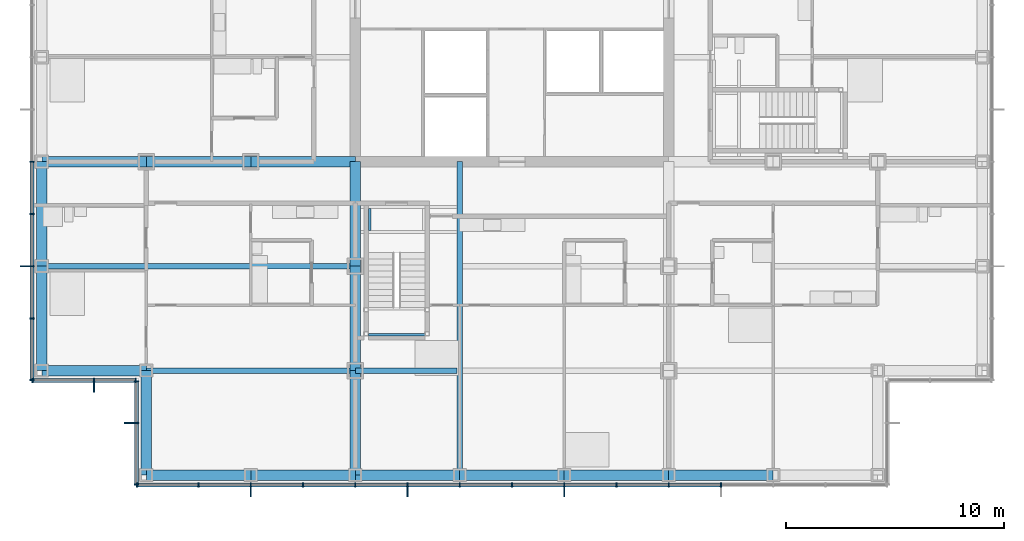
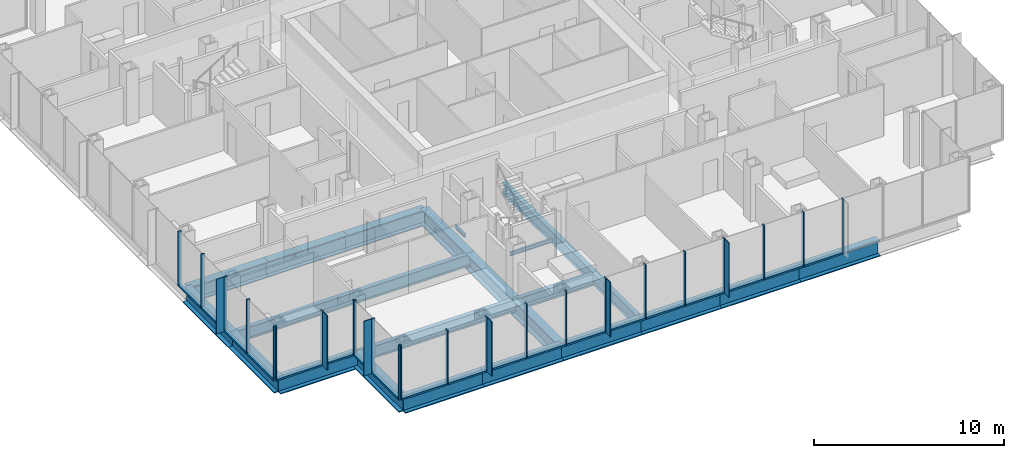
# One storey, part 6 of 21: 48 members, 22 beams, 4 elements without a shape of their own.
"""IFC4 building model written with IfcOpenShell, lengths in metres."""

from ifc_helpers import new_model, si_unit, direction, frame, origin, origin_2d, place, context, subcontext, project, spatial, rectangle, i_section, extrude, material, material_profile, profile_set, type_object, element, aggregate, save


model = new_model("IFC4")

# Units and contexts
model_context = context("Model", 3, precision=1e-05, world=origin(), true_north=direction((0.0, 1.0)))
body_context = subcontext(model_context, "Body", "Model", "MODEL_VIEW")
ifc_project = project(units=[si_unit("LENGTHUNIT", "METRE"), si_unit("AREAUNIT", "SQUARE_METRE"), si_unit("VOLUMEUNIT", "CUBIC_METRE"), si_unit("PLANEANGLEUNIT", "RADIAN"), si_unit("MASSUNIT", "GRAM", prefix="KILO")], contexts=[model_context])

# Site, building, storey
site_placement = place(None, origin())
site = spatial("IfcSite", under=ifc_project, at=site_placement, CompositionType="ELEMENT")
building_placement = place(site_placement, origin())
building = spatial("IfcBuilding", under=site, at=building_placement, Name="Kvirike Care Tower", CompositionType="ELEMENT")
storey_placement = place(building_placement, frame((0.0, 0.0, 65.5)))
storey = spatial("IfcBuildingStorey", under=building, at=storey_placement, Name="L17", CompositionType="ELEMENT", Elevation=65.5)

# Curtain wall, member
ifc_material_1 = material(Name="Anodised aluminium stick system", Category="aluminium")
curtain_wall_type = type_object("IfcCurtainWallType", Name="CW-A STICK CURTAIN WALL", PredefinedType="NOTDEFINED", material=ifc_material_1)
curtain_wall_1_placement = place(storey_placement, origin())
curtain_wall_1 = element("IfcCurtainWall", 1, at=curtain_wall_1_placement, inside=storey, type_object=curtain_wall_type, Name="Curtain wall L17 face 1", PredefinedType="NOTDEFINED")
ifc_material_2 = material(Name="Bronze anodised aluminium fin", Category="aluminium")
ifc_material_profile_1 = material_profile(ifc_material_2, rectangle(XDim=0.050048828125, YDim=0.449951171875, at=origin_2d()), Name="BRONZE FIN 450")
ifc_profile_set_1 = profile_set([ifc_material_profile_1], Name="Bronze anodised aluminium fin")
member_type_1 = type_object("IfcMemberType", Name="BRONZE FIN 450", PredefinedType="USERDEFINED", material=ifc_profile_set_1)
member_1_placement = place(storey_placement, frame((-0.77490234375, 24.0, 0.0), z_axis=(0.0, 0.0, 1.0), x_axis=(0.0, -1.0, 0.0)))
member_1 = element("IfcMember", 2, at=member_1_placement, type_object=member_type_1, Name="Bronze fin L17 face 1.13", ObjectType="FIN", PredefinedType="USERDEFINED", context=body_context, shape_type="SweptSolid", body=[
    extrude(rectangle(XDim=0.050048828125, YDim=0.449951171875, at=origin_2d()), origin(), (0.0, 0.0, 1.0), 3.5),
])

curtain_wall_2_placement = place(storey_placement, origin())
curtain_wall_2 = element("IfcCurtainWall", 3, at=curtain_wall_2_placement, inside=storey, type_object=curtain_wall_type, Name="Curtain wall L17 face 2", PredefinedType="NOTDEFINED")
member_2_placement = place(storey_placement, frame((2.39990234375, 18.425048828125, 0.0), z_axis=(0.0, 0.0, 1.0), x_axis=(1.0, 0.0, 0.0)))
member_2 = element("IfcMember", 4, at=member_2_placement, type_object=member_type_1, Name="Bronze fin L17 face 2.2", ObjectType="FIN", PredefinedType="USERDEFINED", context=body_context, shape_type="SweptSolid", body=[
    extrude(rectangle(XDim=0.050048828125, YDim=0.449951171875, at=origin_2d()), origin(), (0.0, 0.0, 1.0), 3.5),
])

curtain_wall_3_placement = place(storey_placement, origin())
curtain_wall_3 = element("IfcCurtainWall", 5, at=curtain_wall_3_placement, inside=storey, type_object=curtain_wall_type, Name="Curtain wall L17 face 3", PredefinedType="NOTDEFINED")
member_3_placement = place(storey_placement, frame((4.02490234375, 16.800048828125, 0.0), z_axis=(0.0, 0.0, 1.0), x_axis=(0.0, -1.0, 0.0)))
member_3 = element("IfcMember", 6, at=member_3_placement, type_object=member_type_1, Name="Bronze fin L17 face 3.2", ObjectType="FIN", PredefinedType="USERDEFINED", context=body_context, shape_type="SweptSolid", body=[
    extrude(rectangle(XDim=0.050048828125, YDim=0.449951171875, at=origin_2d()), origin(), (0.0, 0.0, 1.0), 3.5),
])

# Curtain wall, members
curtain_wall_4_placement = place(storey_placement, origin())
curtain_wall_4 = element("IfcCurtainWall", 7, at=curtain_wall_4_placement, inside=storey, type_object=curtain_wall_type, Name="Curtain wall L17 face 4", PredefinedType="NOTDEFINED")
member_4_placement = place(storey_placement, frame((9.60009765625, 13.625, 0.0), z_axis=(0.0, 0.0, 1.0), x_axis=(1.0, 0.0, 0.0)))
member_4 = element("IfcMember", 8, at=member_4_placement, type_object=member_type_1, Name="Bronze fin L17 face 4.3", ObjectType="FIN", PredefinedType="USERDEFINED", context=body_context, shape_type="SweptSolid", body=[
    extrude(rectangle(XDim=0.050048828125, YDim=0.449951171875, at=origin_2d()), origin(), (0.0, 0.0, 1.0), 3.5),
])
member_5_placement = place(storey_placement, frame((16.800048828125, 13.625, 0.0), z_axis=(0.0, 0.0, 1.0), x_axis=(1.0, 0.0, 0.0)))
member_5 = element("IfcMember", 9, at=member_5_placement, type_object=member_type_1, Name="Bronze fin L17 face 4.6", ObjectType="FIN", PredefinedType="USERDEFINED", context=body_context, shape_type="SweptSolid", body=[
    extrude(rectangle(XDim=0.050048828125, YDim=0.449951171875, at=origin_2d()), origin(), (0.0, 0.0, 1.0), 3.5),
])
member_6_placement = place(storey_placement, frame((24.0, 13.625, 0.0), z_axis=(0.0, 0.0, 1.0), x_axis=(1.0, 0.0, 0.0)))
member_6 = element("IfcMember", 10, at=member_6_placement, type_object=member_type_1, Name="Bronze fin L17 face 4.9", ObjectType="FIN", PredefinedType="USERDEFINED", context=body_context, shape_type="SweptSolid", body=[
    extrude(rectangle(XDim=0.050048828125, YDim=0.449951171875, at=origin_2d()), origin(), (0.0, 0.0, 1.0), 3.5),
])

# Member
ifc_material_3 = material(Name="Bronze anodised aluminium mullion", Category="aluminium")
ifc_material_profile_2 = material_profile(ifc_material_3, rectangle(XDim=0.06494140625, YDim=0.199951171875, at=origin_2d()), Name="CW-A MULLION 65x200")
ifc_profile_set_2 = profile_set([ifc_material_profile_2], Name="Bronze anodised aluminium mullion")
member_type_2 = type_object("IfcMemberType", Name="CW-A MULLION 65x200", PredefinedType="MULLION", material=ifc_profile_set_2)
member_7_placement = place(storey_placement, frame((-0.449951171875, 28.800048828125, 0.0), z_axis=(0.0, 0.0, 1.0), x_axis=(0.0, -1.0, 0.0)))
member_7 = element("IfcMember", 11, at=member_7_placement, type_object=member_type_2, Name="CW-A mullion L17 face 1.11", PredefinedType="MULLION", context=body_context, shape_type="SweptSolid", body=[
    extrude(rectangle(XDim=0.06494140625, YDim=0.199951171875, at=origin_2d()), origin(), (0.0, 0.0, 1.0), 3.5),
])

member_8_placement = place(storey_placement, frame((-0.449951171875, 26.39990234375, 0.0), z_axis=(0.0, 0.0, 1.0), x_axis=(0.0, -1.0, 0.0)))
member_8 = element("IfcMember", 12, at=member_8_placement, type_object=member_type_2, Name="CW-A mullion L17 face 1.12", PredefinedType="MULLION", context=body_context, shape_type="SweptSolid", body=[
    extrude(rectangle(XDim=0.06494140625, YDim=0.199951171875, at=origin_2d()), origin(), (0.0, 0.0, 1.0), 3.5),
])

member_9_placement = place(storey_placement, frame((-0.449951171875, 24.0, 0.0), z_axis=(0.0, 0.0, 1.0), x_axis=(0.0, -1.0, 0.0)))
member_9 = element("IfcMember", 13, at=member_9_placement, type_object=member_type_2, Name="CW-A mullion L17 face 1.13", PredefinedType="MULLION", context=body_context, shape_type="SweptSolid", body=[
    extrude(rectangle(XDim=0.06494140625, YDim=0.199951171875, at=origin_2d()), origin(), (0.0, 0.0, 1.0), 3.5),
])

member_10_placement = place(storey_placement, frame((-0.449951171875, 21.60009765625, 0.0), z_axis=(0.0, 0.0, 1.0), x_axis=(0.0, -1.0, 0.0)))
member_10 = element("IfcMember", 14, at=member_10_placement, type_object=member_type_2, Name="CW-A mullion L17 face 1.14", PredefinedType="MULLION", context=body_context, shape_type="SweptSolid", body=[
    extrude(rectangle(XDim=0.06494140625, YDim=0.199951171875, at=origin_2d()), origin(), (0.0, 0.0, 1.0), 3.5),
])

member_11_placement = place(storey_placement, frame((-0.449951171875, 18.782470703125, 0.0), z_axis=(0.0, 0.0, 1.0), x_axis=(0.0, -1.0, 0.0)))
member_11 = element("IfcMember", 15, at=member_11_placement, type_object=member_type_2, Name="CW-A mullion L17 face 1.15", PredefinedType="MULLION", context=body_context, shape_type="SweptSolid", body=[
    extrude(rectangle(XDim=0.06494140625, YDim=0.199951171875, at=origin_2d()), origin(), (0.0, 0.0, 1.0), 3.5),
])

member_12_placement = place(storey_placement, frame((-0.41748046875, 18.75, 0.0), z_axis=(0.0, 0.0, 1.0), x_axis=(1.0, 0.0, 0.0)))
member_12 = element("IfcMember", 16, at=member_12_placement, type_object=member_type_2, Name="CW-A mullion L17 face 2.1", PredefinedType="MULLION", context=body_context, shape_type="SweptSolid", body=[
    extrude(rectangle(XDim=0.06494140625, YDim=0.199951171875, at=origin_2d()), origin(), (0.0, 0.0, 1.0), 3.5),
])

member_13_placement = place(storey_placement, frame((2.39990234375, 18.75, 0.0), z_axis=(0.0, 0.0, 1.0), x_axis=(1.0, 0.0, 0.0)))
member_13 = element("IfcMember", 17, at=member_13_placement, type_object=member_type_2, Name="CW-A mullion L17 face 2.2", PredefinedType="MULLION", context=body_context, shape_type="SweptSolid", body=[
    extrude(rectangle(XDim=0.06494140625, YDim=0.199951171875, at=origin_2d()), origin(), (0.0, 0.0, 1.0), 3.5),
])

member_14_placement = place(storey_placement, frame((4.3173828125, 18.75, 0.0), z_axis=(0.0, 0.0, 1.0), x_axis=(1.0, 0.0, 0.0)))
member_14 = element("IfcMember", 18, at=member_14_placement, type_object=member_type_2, Name="CW-A mullion L17 face 2.3", PredefinedType="MULLION", context=body_context, shape_type="SweptSolid", body=[
    extrude(rectangle(XDim=0.06494140625, YDim=0.199951171875, at=origin_2d()), origin(), (0.0, 0.0, 1.0), 3.5),
])

member_15_placement = place(storey_placement, frame((4.35009765625, 18.717529296875, 0.0), z_axis=(0.0, 0.0, 1.0), x_axis=(0.0, -1.0, 0.0)))
member_15 = element("IfcMember", 19, at=member_15_placement, type_object=member_type_2, Name="CW-A mullion L17 face 3.1", PredefinedType="MULLION", context=body_context, shape_type="SweptSolid", body=[
    extrude(rectangle(XDim=0.06494140625, YDim=0.199951171875, at=origin_2d()), origin(), (0.0, 0.0, 1.0), 3.5),
])

member_16_placement = place(storey_placement, frame((4.35009765625, 16.800048828125, 0.0), z_axis=(0.0, 0.0, 1.0), x_axis=(0.0, -1.0, 0.0)))
member_16 = element("IfcMember", 20, at=member_16_placement, type_object=member_type_2, Name="CW-A mullion L17 face 3.2", PredefinedType="MULLION", context=body_context, shape_type="SweptSolid", body=[
    extrude(rectangle(XDim=0.06494140625, YDim=0.199951171875, at=origin_2d()), origin(), (0.0, 0.0, 1.0), 3.5),
])

member_17_placement = place(storey_placement, frame((4.35009765625, 13.982421875, 0.0), z_axis=(0.0, 0.0, 1.0), x_axis=(0.0, -1.0, 0.0)))
member_17 = element("IfcMember", 21, at=member_17_placement, type_object=member_type_2, Name="CW-A mullion L17 face 3.3", PredefinedType="MULLION", context=body_context, shape_type="SweptSolid", body=[
    extrude(rectangle(XDim=0.06494140625, YDim=0.199951171875, at=origin_2d()), origin(), (0.0, 0.0, 1.0), 3.5),
])

member_18_placement = place(storey_placement, frame((4.382568359375, 13.949951171875, 0.0), z_axis=(0.0, 0.0, 1.0), x_axis=(1.0, 0.0, 0.0)))
member_18 = element("IfcMember", 22, at=member_18_placement, type_object=member_type_2, Name="CW-A mullion L17 face 4.1", PredefinedType="MULLION", context=body_context, shape_type="SweptSolid", body=[
    extrude(rectangle(XDim=0.06494140625, YDim=0.199951171875, at=origin_2d()), origin(), (0.0, 0.0, 1.0), 3.5),
])

member_19_placement = place(storey_placement, frame((7.199951171875, 13.949951171875, 0.0), z_axis=(0.0, 0.0, 1.0), x_axis=(1.0, 0.0, 0.0)))
member_19 = element("IfcMember", 23, at=member_19_placement, type_object=member_type_2, Name="CW-A mullion L17 face 4.2", PredefinedType="MULLION", context=body_context, shape_type="SweptSolid", body=[
    extrude(rectangle(XDim=0.06494140625, YDim=0.199951171875, at=origin_2d()), origin(), (0.0, 0.0, 1.0), 3.5),
])

member_20_placement = place(storey_placement, frame((9.60009765625, 13.949951171875, 0.0), z_axis=(0.0, 0.0, 1.0), x_axis=(1.0, 0.0, 0.0)))
member_20 = element("IfcMember", 24, at=member_20_placement, type_object=member_type_2, Name="CW-A mullion L17 face 4.3", PredefinedType="MULLION", context=body_context, shape_type="SweptSolid", body=[
    extrude(rectangle(XDim=0.06494140625, YDim=0.199951171875, at=origin_2d()), origin(), (0.0, 0.0, 1.0), 3.5),
])

member_21_placement = place(storey_placement, frame((12.0, 13.949951171875, 0.0), z_axis=(0.0, 0.0, 1.0), x_axis=(1.0, 0.0, 0.0)))
member_21 = element("IfcMember", 25, at=member_21_placement, type_object=member_type_2, Name="CW-A mullion L17 face 4.4", PredefinedType="MULLION", context=body_context, shape_type="SweptSolid", body=[
    extrude(rectangle(XDim=0.06494140625, YDim=0.199951171875, at=origin_2d()), origin(), (0.0, 0.0, 1.0), 3.5),
])

member_22_placement = place(storey_placement, frame((14.39990234375, 13.949951171875, 0.0), z_axis=(0.0, 0.0, 1.0), x_axis=(1.0, 0.0, 0.0)))
member_22 = element("IfcMember", 26, at=member_22_placement, type_object=member_type_2, Name="CW-A mullion L17 face 4.5", PredefinedType="MULLION", context=body_context, shape_type="SweptSolid", body=[
    extrude(rectangle(XDim=0.06494140625, YDim=0.199951171875, at=origin_2d()), origin(), (0.0, 0.0, 1.0), 3.5),
])

member_23_placement = place(storey_placement, frame((16.800048828125, 13.949951171875, 0.0), z_axis=(0.0, 0.0, 1.0), x_axis=(1.0, 0.0, 0.0)))
member_23 = element("IfcMember", 27, at=member_23_placement, type_object=member_type_2, Name="CW-A mullion L17 face 4.6", PredefinedType="MULLION", context=body_context, shape_type="SweptSolid", body=[
    extrude(rectangle(XDim=0.06494140625, YDim=0.199951171875, at=origin_2d()), origin(), (0.0, 0.0, 1.0), 3.5),
])

member_24_placement = place(storey_placement, frame((19.199951171875, 13.949951171875, 0.0), z_axis=(0.0, 0.0, 1.0), x_axis=(1.0, 0.0, 0.0)))
member_24 = element("IfcMember", 28, at=member_24_placement, type_object=member_type_2, Name="CW-A mullion L17 face 4.7", PredefinedType="MULLION", context=body_context, shape_type="SweptSolid", body=[
    extrude(rectangle(XDim=0.06494140625, YDim=0.199951171875, at=origin_2d()), origin(), (0.0, 0.0, 1.0), 3.5),
])

member_25_placement = place(storey_placement, frame((21.60009765625, 13.949951171875, 0.0), z_axis=(0.0, 0.0, 1.0), x_axis=(1.0, 0.0, 0.0)))
member_25 = element("IfcMember", 29, at=member_25_placement, type_object=member_type_2, Name="CW-A mullion L17 face 4.8", PredefinedType="MULLION", context=body_context, shape_type="SweptSolid", body=[
    extrude(rectangle(XDim=0.06494140625, YDim=0.199951171875, at=origin_2d()), origin(), (0.0, 0.0, 1.0), 3.5),
])

member_26_placement = place(storey_placement, frame((24.0, 13.949951171875, 0.0), z_axis=(0.0, 0.0, 1.0), x_axis=(1.0, 0.0, 0.0)))
member_26 = element("IfcMember", 30, at=member_26_placement, type_object=member_type_2, Name="CW-A mullion L17 face 4.9", PredefinedType="MULLION", context=body_context, shape_type="SweptSolid", body=[
    extrude(rectangle(XDim=0.06494140625, YDim=0.199951171875, at=origin_2d()), origin(), (0.0, 0.0, 1.0), 3.5),
])

member_27_placement = place(storey_placement, frame((26.39990234375, 13.949951171875, 0.0), z_axis=(0.0, 0.0, 1.0), x_axis=(1.0, 0.0, 0.0)))
member_27 = element("IfcMember", 31, at=member_27_placement, type_object=member_type_2, Name="CW-A mullion L17 face 4.10", PredefinedType="MULLION", context=body_context, shape_type="SweptSolid", body=[
    extrude(rectangle(XDim=0.06494140625, YDim=0.199951171875, at=origin_2d()), origin(), (0.0, 0.0, 1.0), 3.5),
])

member_28_placement = place(storey_placement, frame((28.800048828125, 13.949951171875, 0.0), z_axis=(0.0, 0.0, 1.0), x_axis=(1.0, 0.0, 0.0)))
member_28 = element("IfcMember", 32, at=member_28_placement, type_object=member_type_2, Name="CW-A mullion L17 face 4.11", PredefinedType="MULLION", context=body_context, shape_type="SweptSolid", body=[
    extrude(rectangle(XDim=0.06494140625, YDim=0.199951171875, at=origin_2d()), origin(), (0.0, 0.0, 1.0), 3.5),
])

member_29_placement = place(storey_placement, frame((31.199951171875, 13.949951171875, 0.0), z_axis=(0.0, 0.0, 1.0), x_axis=(1.0, 0.0, 0.0)))
member_29 = element("IfcMember", 33, at=member_29_placement, type_object=member_type_2, Name="CW-A mullion L17 face 4.12", PredefinedType="MULLION", context=body_context, shape_type="SweptSolid", body=[
    extrude(rectangle(XDim=0.06494140625, YDim=0.199951171875, at=origin_2d()), origin(), (0.0, 0.0, 1.0), 3.5),
])

ifc_material_4 = material(Name="Bronze anodised aluminium transom", Category="aluminium")
ifc_material_profile_3 = material_profile(ifc_material_4, rectangle(XDim=0.199951171875, YDim=0.10009765625, at=origin_2d()), Name="CW-A TRANSOM 200x100")
ifc_profile_set_3 = profile_set([ifc_material_profile_3], Name="Bronze anodised aluminium transom")
member_type_3 = type_object("IfcMemberType", Name="CW-A TRANSOM 200x100", PredefinedType="USERDEFINED", material=ifc_profile_set_3)
member_30_placement = place(storey_placement, frame((-0.449951171875, 28.767578125, 0.050048828125), z_axis=(0.0, -1.0, 0.0), x_axis=(1.0, 0.0, 0.0)))
member_30 = element("IfcMember", 34, at=member_30_placement, type_object=member_type_3, Name="CW-A sill transom L17 face 1.11", ObjectType="TRANSOM", PredefinedType="USERDEFINED", context=body_context, shape_type="SweptSolid", body=[
    extrude(rectangle(XDim=0.199951171875, YDim=0.10009765625, at=origin_2d()), origin(), (0.0, 0.0, 1.0), 2.3349609375),
])

member_31_placement = place(storey_placement, frame((-0.449951171875, 26.367431640625, 0.050048828125), z_axis=(0.0, -1.0, 0.0), x_axis=(1.0, 0.0, 0.0)))
member_31 = element("IfcMember", 35, at=member_31_placement, type_object=member_type_3, Name="CW-A sill transom L17 face 1.12", ObjectType="TRANSOM", PredefinedType="USERDEFINED", context=body_context, shape_type="SweptSolid", body=[
    extrude(rectangle(XDim=0.199951171875, YDim=0.10009765625, at=origin_2d()), origin(), (0.0, 0.0, 1.0), 2.3349609375),
])

member_32_placement = place(storey_placement, frame((-0.449951171875, 23.967529296875, 0.050048828125), z_axis=(0.0, -1.0, 0.0), x_axis=(1.0, 0.0, 0.0)))
member_32 = element("IfcMember", 36, at=member_32_placement, type_object=member_type_3, Name="CW-A sill transom L17 face 1.13", ObjectType="TRANSOM", PredefinedType="USERDEFINED", context=body_context, shape_type="SweptSolid", body=[
    extrude(rectangle(XDim=0.199951171875, YDim=0.10009765625, at=origin_2d()), origin(), (0.0, 0.0, 1.0), 2.3349609375),
])

member_33_placement = place(storey_placement, frame((-0.449951171875, 21.5673828125, 0.050048828125), z_axis=(0.0, -1.0, 0.0), x_axis=(1.0, 0.0, 0.0)))
member_33 = element("IfcMember", 37, at=member_33_placement, type_object=member_type_3, Name="CW-A sill transom L17 face 1.14", ObjectType="TRANSOM", PredefinedType="USERDEFINED", context=body_context, shape_type="SweptSolid", body=[
    extrude(rectangle(XDim=0.199951171875, YDim=0.10009765625, at=origin_2d()), origin(), (0.0, 0.0, 1.0), 2.75244140625),
])

aggregate(curtain_wall_1, [member_7, member_8, member_9, member_1, member_10, member_11, member_30, member_31, member_32, member_33])

member_34_placement = place(storey_placement, frame((-0.385009765625, 18.75, 0.050048828125), z_axis=(1.0, 0.0, 0.0), x_axis=(0.0, 1.0, 0.0)))
member_34 = element("IfcMember", 38, at=member_34_placement, type_object=member_type_3, Name="CW-A sill transom L17 face 2.1", ObjectType="TRANSOM", PredefinedType="USERDEFINED", context=body_context, shape_type="SweptSolid", body=[
    extrude(rectangle(XDim=0.199951171875, YDim=0.10009765625, at=origin_2d()), origin(), (0.0, 0.0, 1.0), 2.75244140625),
])

member_35_placement = place(storey_placement, frame((2.4326171875, 18.75, 0.050048828125), z_axis=(1.0, 0.0, 0.0), x_axis=(0.0, 1.0, 0.0)))
member_35 = element("IfcMember", 39, at=member_35_placement, type_object=member_type_3, Name="CW-A sill transom L17 face 2.2", ObjectType="TRANSOM", PredefinedType="USERDEFINED", context=body_context, shape_type="SweptSolid", body=[
    extrude(rectangle(XDim=0.199951171875, YDim=0.10009765625, at=origin_2d()), origin(), (0.0, 0.0, 1.0), 1.852294921875),
])

aggregate(curtain_wall_2, [member_12, member_13, member_2, member_14, member_34, member_35])

member_36_placement = place(storey_placement, frame((4.35009765625, 18.68505859375, 0.050048828125), z_axis=(0.0, -1.0, 0.0), x_axis=(1.0, 0.0, 0.0)))
member_36 = element("IfcMember", 40, at=member_36_placement, type_object=member_type_3, Name="CW-A sill transom L17 face 3.1", ObjectType="TRANSOM", PredefinedType="USERDEFINED", context=body_context, shape_type="SweptSolid", body=[
    extrude(rectangle(XDim=0.199951171875, YDim=0.10009765625, at=origin_2d()), origin(), (0.0, 0.0, 1.0), 1.8525390625),
])

member_37_placement = place(storey_placement, frame((4.35009765625, 16.767578125, 0.050048828125), z_axis=(0.0, -1.0, 0.0), x_axis=(1.0, 0.0, 0.0)))
member_37 = element("IfcMember", 41, at=member_37_placement, type_object=member_type_3, Name="CW-A sill transom L17 face 3.2", ObjectType="TRANSOM", PredefinedType="USERDEFINED", context=body_context, shape_type="SweptSolid", body=[
    extrude(rectangle(XDim=0.199951171875, YDim=0.10009765625, at=origin_2d()), origin(), (0.0, 0.0, 1.0), 2.752685546875),
])

aggregate(curtain_wall_3, [member_15, member_16, member_3, member_17, member_36, member_37])

member_38_placement = place(storey_placement, frame((4.4150390625, 13.949951171875, 0.050048828125), z_axis=(1.0, 0.0, 0.0), x_axis=(0.0, 1.0, 0.0)))
member_38 = element("IfcMember", 42, at=member_38_placement, type_object=member_type_3, Name="CW-A sill transom L17 face 4.1", ObjectType="TRANSOM", PredefinedType="USERDEFINED", context=body_context, shape_type="SweptSolid", body=[
    extrude(rectangle(XDim=0.199951171875, YDim=0.10009765625, at=origin_2d()), origin(), (0.0, 0.0, 1.0), 2.75244140625),
])

member_39_placement = place(storey_placement, frame((7.232421875, 13.949951171875, 0.050048828125), z_axis=(1.0, 0.0, 0.0), x_axis=(0.0, 1.0, 0.0)))
member_39 = element("IfcMember", 43, at=member_39_placement, type_object=member_type_3, Name="CW-A sill transom L17 face 4.2", ObjectType="TRANSOM", PredefinedType="USERDEFINED", context=body_context, shape_type="SweptSolid", body=[
    extrude(rectangle(XDim=0.199951171875, YDim=0.10009765625, at=origin_2d()), origin(), (0.0, 0.0, 1.0), 2.3349609375),
])

member_40_placement = place(storey_placement, frame((9.632568359375, 13.949951171875, 0.050048828125), z_axis=(1.0, 0.0, 0.0), x_axis=(0.0, 1.0, 0.0)))
member_40 = element("IfcMember", 44, at=member_40_placement, type_object=member_type_3, Name="CW-A sill transom L17 face 4.3", ObjectType="TRANSOM", PredefinedType="USERDEFINED", context=body_context, shape_type="SweptSolid", body=[
    extrude(rectangle(XDim=0.199951171875, YDim=0.10009765625, at=origin_2d()), origin(), (0.0, 0.0, 1.0), 2.3349609375),
])

member_41_placement = place(storey_placement, frame((12.032470703125, 13.949951171875, 0.050048828125), z_axis=(1.0, 0.0, 0.0), x_axis=(0.0, 1.0, 0.0)))
member_41 = element("IfcMember", 45, at=member_41_placement, type_object=member_type_3, Name="CW-A sill transom L17 face 4.4", ObjectType="TRANSOM", PredefinedType="USERDEFINED", context=body_context, shape_type="SweptSolid", body=[
    extrude(rectangle(XDim=0.199951171875, YDim=0.10009765625, at=origin_2d()), origin(), (0.0, 0.0, 1.0), 2.3349609375),
])

member_42_placement = place(storey_placement, frame((14.4326171875, 13.949951171875, 0.050048828125), z_axis=(1.0, 0.0, 0.0), x_axis=(0.0, 1.0, 0.0)))
member_42 = element("IfcMember", 46, at=member_42_placement, type_object=member_type_3, Name="CW-A sill transom L17 face 4.5", ObjectType="TRANSOM", PredefinedType="USERDEFINED", context=body_context, shape_type="SweptSolid", body=[
    extrude(rectangle(XDim=0.199951171875, YDim=0.10009765625, at=origin_2d()), origin(), (0.0, 0.0, 1.0), 2.3349609375),
])

member_43_placement = place(storey_placement, frame((16.83251953125, 13.949951171875, 0.050048828125), z_axis=(1.0, 0.0, 0.0), x_axis=(0.0, 1.0, 0.0)))
member_43 = element("IfcMember", 47, at=member_43_placement, type_object=member_type_3, Name="CW-A sill transom L17 face 4.6", ObjectType="TRANSOM", PredefinedType="USERDEFINED", context=body_context, shape_type="SweptSolid", body=[
    extrude(rectangle(XDim=0.199951171875, YDim=0.10009765625, at=origin_2d()), origin(), (0.0, 0.0, 1.0), 2.3349609375),
])

member_44_placement = place(storey_placement, frame((19.232421875, 13.949951171875, 0.050048828125), z_axis=(1.0, 0.0, 0.0), x_axis=(0.0, 1.0, 0.0)))
member_44 = element("IfcMember", 48, at=member_44_placement, type_object=member_type_3, Name="CW-A sill transom L17 face 4.7", ObjectType="TRANSOM", PredefinedType="USERDEFINED", context=body_context, shape_type="SweptSolid", body=[
    extrude(rectangle(XDim=0.199951171875, YDim=0.10009765625, at=origin_2d()), origin(), (0.0, 0.0, 1.0), 2.3349609375),
])

member_45_placement = place(storey_placement, frame((21.632568359375, 13.949951171875, 0.050048828125), z_axis=(1.0, 0.0, 0.0), x_axis=(0.0, 1.0, 0.0)))
member_45 = element("IfcMember", 49, at=member_45_placement, type_object=member_type_3, Name="CW-A sill transom L17 face 4.8", ObjectType="TRANSOM", PredefinedType="USERDEFINED", context=body_context, shape_type="SweptSolid", body=[
    extrude(rectangle(XDim=0.199951171875, YDim=0.10009765625, at=origin_2d()), origin(), (0.0, 0.0, 1.0), 2.3349609375),
])

member_46_placement = place(storey_placement, frame((24.032470703125, 13.949951171875, 0.050048828125), z_axis=(1.0, 0.0, 0.0), x_axis=(0.0, 1.0, 0.0)))
member_46 = element("IfcMember", 50, at=member_46_placement, type_object=member_type_3, Name="CW-A sill transom L17 face 4.9", ObjectType="TRANSOM", PredefinedType="USERDEFINED", context=body_context, shape_type="SweptSolid", body=[
    extrude(rectangle(XDim=0.199951171875, YDim=0.10009765625, at=origin_2d()), origin(), (0.0, 0.0, 1.0), 2.3349609375),
])

member_47_placement = place(storey_placement, frame((26.4326171875, 13.949951171875, 0.050048828125), z_axis=(1.0, 0.0, 0.0), x_axis=(0.0, 1.0, 0.0)))
member_47 = element("IfcMember", 51, at=member_47_placement, type_object=member_type_3, Name="CW-A sill transom L17 face 4.10", ObjectType="TRANSOM", PredefinedType="USERDEFINED", context=body_context, shape_type="SweptSolid", body=[
    extrude(rectangle(XDim=0.199951171875, YDim=0.10009765625, at=origin_2d()), origin(), (0.0, 0.0, 1.0), 2.3349609375),
])

member_48_placement = place(storey_placement, frame((28.83251953125, 13.949951171875, 0.050048828125), z_axis=(1.0, 0.0, 0.0), x_axis=(0.0, 1.0, 0.0)))
member_48 = element("IfcMember", 52, at=member_48_placement, type_object=member_type_3, Name="CW-A sill transom L17 face 4.11", ObjectType="TRANSOM", PredefinedType="USERDEFINED", context=body_context, shape_type="SweptSolid", body=[
    extrude(rectangle(XDim=0.199951171875, YDim=0.10009765625, at=origin_2d()), origin(), (0.0, 0.0, 1.0), 2.3349609375),
])

aggregate(curtain_wall_4, [member_18, member_19, member_20, member_4, member_21, member_22, member_23, member_5, member_24, member_25, member_26, member_6, member_27, member_28, member_29, member_38, member_39, member_40, member_41, member_42, member_43, member_44, member_45, member_46, member_47, member_48])

# Beams
ifc_material_5 = material(Name="Steel S355", Category="steel")
ifc_material_profile_4 = material_profile(ifc_material_5, i_section(OverallWidth=0.26806640625, OverallDepth=0.77001953125, WebThickness=0.015625, FlangeThickness=0.025390625, FilletRadius=0.01708984375, at=origin_2d()), Name="IPE 750x196")
ifc_profile_set_4 = profile_set([ifc_material_profile_4], Name="Steel S355")
beam_type_1 = type_object("IfcBeamType", Name="FLOOR BEAM IPE 750x196", PredefinedType="BEAM", material=ifc_profile_set_4)
beam_1_placement = place(storey_placement, frame((4.800048828125, 19.199951171875, -0.554931640625), z_axis=(1.0, 0.0, 0.0), x_axis=(0.0, 1.0, 0.0)))
element("IfcBeam", 53, at=beam_1_placement, inside=storey, type_object=beam_type_1, Name="Floor Beam E4-E6 L17", PredefinedType="BEAM", context=body_context, shape_type="SweptSolid", body=[
    extrude(i_section(OverallWidth=0.26806640625, OverallDepth=0.77001953125, WebThickness=0.015625, FlangeThickness=0.025390625, FilletRadius=0.01708984375, at=origin_2d()), origin(), (0.0, 0.0, 1.0), 9.599853515625),
])
beam_2_placement = place(storey_placement, frame((14.39990234375, 19.199951171875, -0.554931640625), z_axis=(1.0, 0.0, 0.0), x_axis=(0.0, 1.0, 0.0)))
element("IfcBeam", 54, at=beam_2_placement, inside=storey, type_object=beam_type_1, Name="Floor Beam E6-E7 L17", PredefinedType="BEAM", context=body_context, shape_type="SweptSolid", body=[
    extrude(i_section(OverallWidth=0.26806640625, OverallDepth=0.77001953125, WebThickness=0.015625, FlangeThickness=0.025390625, FilletRadius=0.01708984375, at=origin_2d()), origin(), (0.0, 0.0, 1.0), 4.666015625),
])
beam_3_placement = place(storey_placement, frame((0.0, 24.0, -0.554931640625), z_axis=(1.0, 0.0, 0.0), x_axis=(0.0, 1.0, 0.0)))
element("IfcBeam", 55, at=beam_3_placement, inside=storey, type_object=beam_type_1, Name="Floor Beam F3-F6 L17", PredefinedType="BEAM", context=body_context, shape_type="SweptSolid", body=[
    extrude(i_section(OverallWidth=0.26806640625, OverallDepth=0.77001953125, WebThickness=0.015625, FlangeThickness=0.025390625, FilletRadius=0.01708984375, at=origin_2d()), origin(), (0.0, 0.0, 1.0), 14.39990234375),
])
beam_4_placement = place(storey_placement, frame((19.199951171875, 14.39990234375, -0.554931640625), z_axis=(0.0, 1.0, 0.0), x_axis=(-1.0, 0.0, 0.0)))
element("IfcBeam", 56, at=beam_4_placement, inside=storey, type_object=beam_type_1, Name="Floor Beam D7-G7 L17", PredefinedType="BEAM", context=body_context, shape_type="SweptSolid", body=[
    extrude(i_section(OverallWidth=0.26806640625, OverallDepth=0.77001953125, WebThickness=0.015625, FlangeThickness=0.025390625, FilletRadius=0.01708984375, at=origin_2d()), origin(), (0.0, 0.0, 1.0), 14.400146484375),
])
ifc_material_6 = material(Name="Steel S355", Category="steel")
ifc_material_profile_5 = material_profile(ifc_material_6, i_section(OverallWidth=0.5, OverallDepth=1.0, WebThickness=0.030029296875, FlangeThickness=0.06005859375, at=origin_2d()), Name="PG 1000x500x30x60")
ifc_profile_set_5 = profile_set([ifc_material_profile_5], Name="Steel S355")
beam_type_2 = type_object("IfcBeamType", Name="FRAME BEAM PG 1000x500x30x60", PredefinedType="BEAM", material=ifc_profile_set_5)
for number, where, z_axis, x_axis, name in (
    (57, (0.0, 28.800048828125, -0.669921875), (1.0, 0.0, 0.0), (0.0, 1.0, 0.0), "Frame Beam G3-G4 L17"),
    (58, (4.800048828125, 28.800048828125, -0.669921875), (1.0, 0.0, 0.0), (0.0, 1.0, 0.0), "Frame Beam G4-G5 L17"),
):
    element("IfcBeam", number, at=place(storey_placement, frame(where, z_axis=z_axis, x_axis=x_axis)), inside=storey, type_object=beam_type_2, Name=name, PredefinedType="BEAM", context=body_context, shape_type="SweptSolid", body=[
        extrude(i_section(OverallWidth=0.5, OverallDepth=1.0, WebThickness=0.030029296875, FlangeThickness=0.06005859375, at=origin_2d()), origin(), (0.0, 0.0, 1.0), 4.800048828125),
    ])
beam_5_placement = place(storey_placement, frame((9.60009765625, 28.800048828125, -0.669921875), z_axis=(1.0, 0.0, 0.0), x_axis=(0.0, 1.0, 0.0)))
element("IfcBeam", 59, at=beam_5_placement, inside=storey, type_object=beam_type_2, Name="Frame Beam G5-G6 L17", PredefinedType="BEAM", context=body_context, shape_type="SweptSolid", body=[
    extrude(i_section(OverallWidth=0.5, OverallDepth=1.0, WebThickness=0.030029296875, FlangeThickness=0.06005859375, at=origin_2d()), origin(), (0.0, 0.0, 1.0), 4.7998046875),
])
for number, where, z_axis, x_axis, name in (
    (60, (14.39990234375, 14.39990234375, -0.669921875), (0.0, 1.0, 0.0), (-1.0, 0.0, 0.0), "Frame Beam D6-E6 L17"),
    (61, (14.39990234375, 19.199951171875, -0.669921875), (0.0, 1.0, 0.0), (-1.0, 0.0, 0.0), "Frame Beam E6-F6 L17"),
    (62, (14.39990234375, 24.0, -0.669921875), (0.0, 1.0, 0.0), (-1.0, 0.0, 0.0), "Frame Beam F6-G6 L17"),
):
    element("IfcBeam", number, at=place(storey_placement, frame(where, z_axis=z_axis, x_axis=x_axis)), inside=storey, type_object=beam_type_2, Name=name, PredefinedType="BEAM", context=body_context, shape_type="SweptSolid", body=[
        extrude(i_section(OverallWidth=0.5, OverallDepth=1.0, WebThickness=0.030029296875, FlangeThickness=0.06005859375, at=origin_2d()), origin(), (0.0, 0.0, 1.0), 4.800048828125),
    ])
ifc_material_7 = material(Name="Steel S355", Category="steel")
ifc_material_profile_6 = material_profile(ifc_material_7, i_section(OverallWidth=0.5, OverallDepth=1.0, WebThickness=0.030029296875, FlangeThickness=0.06005859375, at=origin_2d()), Name="PG 1000x500x30x60")
ifc_profile_set_6 = profile_set([ifc_material_profile_6], Name="Steel S355")
beam_type_3 = type_object("IfcBeamType", Name="SPANDREL PG 1000x500x30x60", PredefinedType="SPANDREL", material=ifc_profile_set_6)
beam_6_placement = place(storey_placement, frame((4.800048828125, 14.39990234375, -0.669921875), z_axis=(1.0, 0.0, 0.0), x_axis=(0.0, 1.0, 0.0)))
element("IfcBeam", 63, at=beam_6_placement, inside=storey, type_object=beam_type_3, Name="Spandrel D4-D5 L17", PredefinedType="SPANDREL", context=body_context, shape_type="SweptSolid", body=[
    extrude(i_section(OverallWidth=0.5, OverallDepth=1.0, WebThickness=0.030029296875, FlangeThickness=0.06005859375, at=origin_2d()), origin(), (0.0, 0.0, 1.0), 4.800048828125),
])
beam_7_placement = place(storey_placement, frame((9.60009765625, 14.39990234375, -0.669921875), z_axis=(1.0, 0.0, 0.0), x_axis=(0.0, 1.0, 0.0)))
element("IfcBeam", 64, at=beam_7_placement, inside=storey, type_object=beam_type_3, Name="Spandrel D5-D6 L17", PredefinedType="SPANDREL", context=body_context, shape_type="SweptSolid", body=[
    extrude(i_section(OverallWidth=0.5, OverallDepth=1.0, WebThickness=0.030029296875, FlangeThickness=0.06005859375, at=origin_2d()), origin(), (0.0, 0.0, 1.0), 4.7998046875),
])
for number, where, z_axis, x_axis, name in (
    (65, (14.39990234375, 14.39990234375, -0.669921875), (1.0, 0.0, 0.0), (0.0, 1.0, 0.0), "Spandrel D6-D7 L17"),
    (66, (19.199951171875, 14.39990234375, -0.669921875), (1.0, 0.0, 0.0), (0.0, 1.0, 0.0), "Spandrel D7-D8 L17"),
    (67, (24.0, 14.39990234375, -0.669921875), (1.0, 0.0, 0.0), (0.0, 1.0, 0.0), "Spandrel D8-D9 L17"),
    (68, (28.800048828125, 14.39990234375, -0.669921875), (1.0, 0.0, 0.0), (0.0, 1.0, 0.0), "Spandrel D9-D10 L17"),
    (69, (0.0, 19.199951171875, -0.669921875), (1.0, 0.0, 0.0), (0.0, 1.0, 0.0), "Spandrel E3-E4 L17"),
    (70, (0.0, 19.199951171875, -0.669921875), (0.0, 1.0, 0.0), (-1.0, 0.0, 0.0), "Spandrel E3-F3 L17"),
    (71, (0.0, 24.0, -0.669921875), (0.0, 1.0, 0.0), (-1.0, 0.0, 0.0), "Spandrel F3-G3 L17"),
    (72, (4.800048828125, 14.39990234375, -0.669921875), (0.0, 1.0, 0.0), (-1.0, 0.0, 0.0), "Spandrel D4-E4 L17"),
):
    element("IfcBeam", number, at=place(storey_placement, frame(where, z_axis=z_axis, x_axis=x_axis)), inside=storey, type_object=beam_type_3, Name=name, PredefinedType="SPANDREL", context=body_context, shape_type="SweptSolid", body=[
        extrude(i_section(OverallWidth=0.5, OverallDepth=1.0, WebThickness=0.030029296875, FlangeThickness=0.06005859375, at=origin_2d()), origin(), (0.0, 0.0, 1.0), 4.800048828125),
    ])
ifc_material_8 = material(Name="Steel S355", Category="steel")
ifc_material_profile_7 = material_profile(ifc_material_8, i_section(OverallWidth=0.1201171875, OverallDepth=0.239990234375, WebThickness=0.006103515625, FlangeThickness=0.009765625, FilletRadius=0.014892578125, at=origin_2d()), Name="IPE 240")
ifc_profile_set_7 = profile_set([ifc_material_profile_7], Name="Steel S355")
beam_type_4 = type_object("IfcBeamType", Name="STAIR LANDING BEAM IPE 240", PredefinedType="BEAM", material=ifc_profile_set_7)
beam_8_placement = place(storey_placement, frame((15.0, 20.860107421875, 1.429931640625), z_axis=(1.0, 0.0, 0.0), x_axis=(0.0, 1.0, 0.0)))
element("IfcBeam", 73, at=beam_8_placement, inside=storey, type_object=beam_type_4, Name="Stair 5 landing beam back L17", PredefinedType="BEAM", context=body_context, shape_type="SweptSolid", body=[
    extrude(i_section(OverallWidth=0.1201171875, OverallDepth=0.239990234375, WebThickness=0.006103515625, FlangeThickness=0.009765625, FilletRadius=0.014892578125, at=origin_2d()), origin(), (0.0, 0.0, 1.0), 2.60009765625),
])
beam_9_placement = place(storey_placement, frame((15.06005859375, 25.64990234375, -0.320068359375), z_axis=(0.0, 1.0, 0.0), x_axis=(-1.0, 0.0, 0.0)))
element("IfcBeam", 74, at=beam_9_placement, inside=storey, type_object=beam_type_4, Name="Stair 5 landing edge beam 1 L17", PredefinedType="BEAM", context=body_context, shape_type="SweptSolid", body=[
    extrude(i_section(OverallWidth=0.1201171875, OverallDepth=0.239990234375, WebThickness=0.006103515625, FlangeThickness=0.009765625, FilletRadius=0.014892578125, at=origin_2d()), origin(), (0.0, 0.0, 1.0), 1.0),
])

save(model, "model.ifc")
